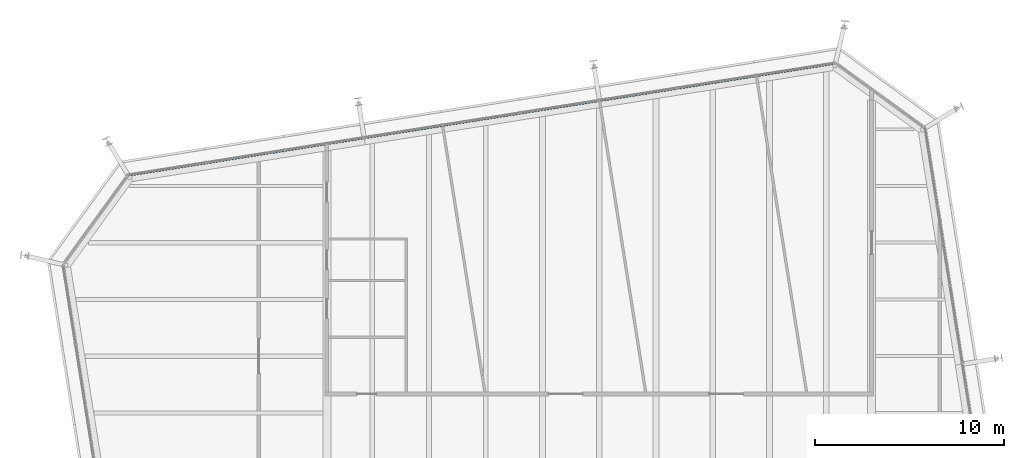
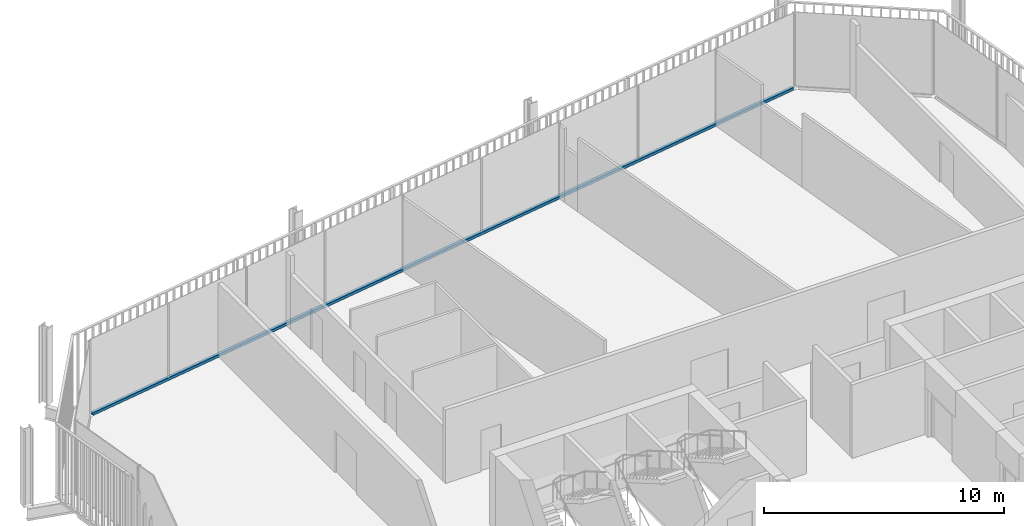
# One storey, part 13 of 20: 1 member, 1 element without a shape of its own.
"""IFC4 building model written with IfcOpenShell, lengths in metres."""

from ifc_helpers import new_model, si_unit, direction, frame, origin, origin_2d, place, context, subcontext, project, spatial, rectangle, extrude, material, layer, layer_set, material_profile, profile_set, type_object, element, aggregate, save


model = new_model("IFC4")

# Units and contexts
model_context = context("Model", 3, precision=1e-05, world=origin(), true_north=direction((0.0, 1.0)))
body_context = subcontext(model_context, "Body", "Model", "MODEL_VIEW")
ifc_project = project(units=[si_unit("LENGTHUNIT", "METRE"), si_unit("AREAUNIT", "SQUARE_METRE"), si_unit("VOLUMEUNIT", "CUBIC_METRE"), si_unit("PLANEANGLEUNIT", "RADIAN"), si_unit("MASSUNIT", "GRAM", prefix="KILO")], contexts=[model_context])

# Site, building, storey
site_placement = place(None, origin())
site = spatial("IfcSite", under=ifc_project, at=site_placement, CompositionType="ELEMENT")
building_placement = place(site_placement, origin())
building = spatial("IfcBuilding", under=site, at=building_placement, Name="Millrace Tower", CompositionType="ELEMENT")
storey_placement = place(building_placement, frame((0.0, 0.0, 224.199951171875)))
storey = spatial("IfcBuildingStorey", under=building, at=storey_placement, Name="L51", CompositionType="ELEMENT", Elevation=224.199951171875)

# Curtain wall, member
ifc_material_1 = material(Name="Aluminium and glass", Category="aluminium")
ifc_layer = layer(ifc_material_1, 0.14990234375)
ifc_layer_set = layer_set([ifc_layer], Name="Aluminium and glass")
curtain_wall_type = type_object("IfcCurtainWallType", Name="CW-1 office vision curtain wall", PredefinedType="NOTDEFINED", material=ifc_layer_set)
curtain_wall_placement = place(storey_placement, origin())
curtain_wall = element("IfcCurtainWall", 1, at=curtain_wall_placement, inside=storey, type_object=curtain_wall_type, Name="Curtain wall D-F06 L51", PredefinedType="NOTDEFINED")
ifc_material_2 = material(Name="Aluminium", Category="aluminium")
ifc_material_profile = material_profile(ifc_material_2, rectangle(XDim=0.14990234375, YDim=0.139892578125, at=origin_2d()))
ifc_profile_set = profile_set([ifc_material_profile], Name="Aluminium")
member_type = type_object("IfcMemberType", Name="CW-1 office vision curtain wall transom", PredefinedType="USERDEFINED", material=ifc_profile_set)
member_placement = place(storey_placement, frame((12.35888671875, 30.48193359375, 0.070068359375), z_axis=(-0.987687829698, -0.156437690685, 0.0), x_axis=(0.156437690685, -0.987687829698, 0.0)))
member = element("IfcMember", 2, at=member_placement, type_object=member_type, Name="CW1 transom D-F06.1", ObjectType="TRANSOM", PredefinedType="USERDEFINED", context=body_context, shape_type="SweptSolid", body=[
    extrude(rectangle(XDim=0.14990234375, YDim=0.139892578125, at=origin_2d()), origin(), (0.0, 0.0, 1.0), 37.60009765625),
])
aggregate(curtain_wall, [member])

save(model, "model.ifc")
